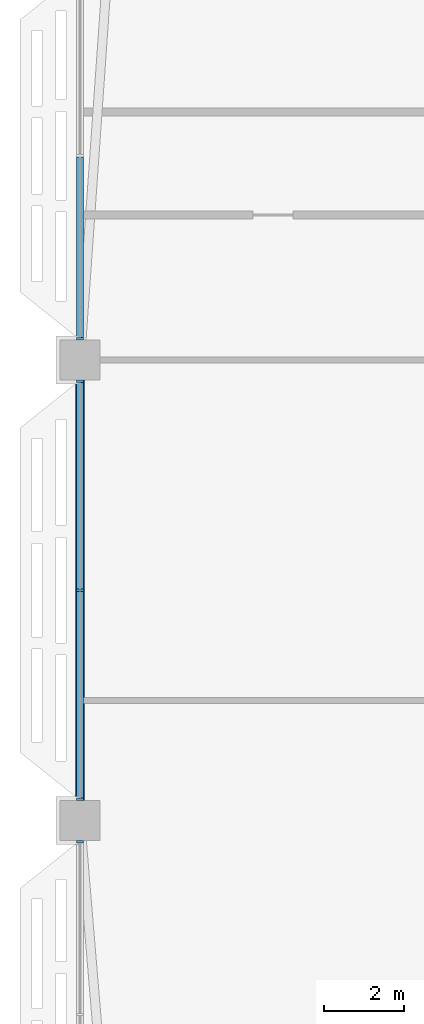
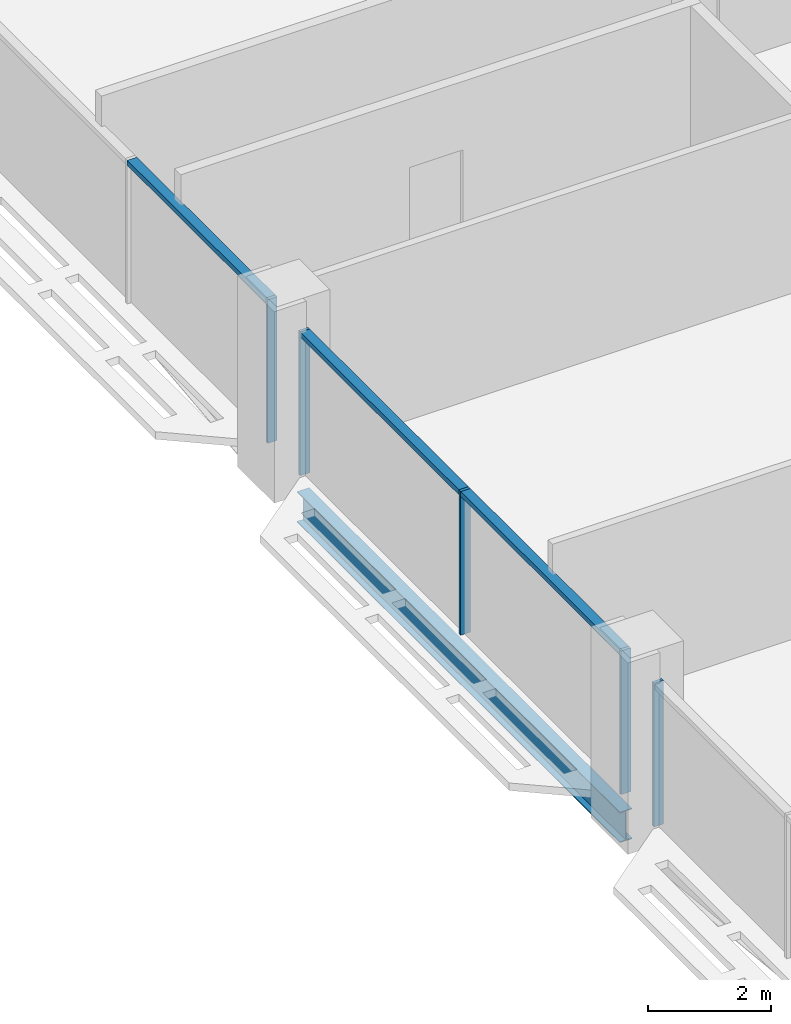
# One storey, part 7 of 34: 8 members, 1 beam, 3 elements without a shape of their own.
"""IFC4 building model written with IfcOpenShell, lengths in metres."""

from ifc_helpers import new_model, si_unit, direction, frame, origin, origin_2d, place, context, subcontext, project, spatial, rectangle, i_section, extrude, material, material_profile, profile_set, type_object, element, aggregate, save


model = new_model("IFC4")

# Units and contexts
model_context = context("Model", 3, precision=1e-05, world=origin(), true_north=direction((0.0, 1.0)))
body_context = subcontext(model_context, "Body", "Model", "MODEL_VIEW")
ifc_project = project(units=[si_unit("LENGTHUNIT", "METRE"), si_unit("AREAUNIT", "SQUARE_METRE"), si_unit("VOLUMEUNIT", "CUBIC_METRE"), si_unit("PLANEANGLEUNIT", "RADIAN"), si_unit("MASSUNIT", "GRAM", prefix="KILO")], contexts=[model_context])

# Site, building, storey
site_placement = place(None, origin())
site = spatial("IfcSite", under=ifc_project, at=site_placement, CompositionType="ELEMENT")
building_placement = place(site_placement, origin())
building = spatial("IfcBuilding", under=site, at=building_placement, Name="Mahtab Terrace Research Tower", CompositionType="ELEMENT")
storey_placement = place(building_placement, frame((0.0, 0.0, 247.60009765625)))
storey = spatial("IfcBuildingStorey", under=building, at=storey_placement, Name="L60", CompositionType="ELEMENT", Elevation=247.60009765625)

# Curtain wall, member
ifc_material_1 = material(Name="Office ribbon curtain wall")
curtain_wall_type = type_object("IfcCurtainWallType", Name="Office ribbon curtain wall", PredefinedType="NOTDEFINED", material=ifc_material_1)
curtain_wall_1_placement = place(storey_placement, origin())
curtain_wall_1 = element("IfcCurtainWall", 1, at=curtain_wall_1_placement, inside=storey, type_object=curtain_wall_type, Name="EN.L60.8.8", PredefinedType="NOTDEFINED")
ifc_material_2 = material(Name="Natural anodised aluminium", Category="aluminium")
ifc_material_profile_1 = material_profile(ifc_material_2, rectangle(XDim=0.179931640625, YDim=0.06005859375, at=origin_2d()), Name="MULLION 60x180")
ifc_profile_set_1 = profile_set([ifc_material_profile_1], Name="Natural anodised aluminium")
member_type_1 = type_object("IfcMemberType", Name="Office ribbon curtain wall mullion", PredefinedType="MULLION", material=ifc_profile_set_1)
member_1_placement = place(storey_placement, frame((-42.0, 12.030029296875, 0.0), z_axis=(0.0, 0.0, 1.0), x_axis=(1.0, 0.0, 0.0)))
member_1 = element("IfcMember", 2, at=member_1_placement, type_object=member_type_1, Name="CWO-7 mullion 3", PredefinedType="MULLION", context=body_context, shape_type="SweptSolid", body=[
    extrude(rectangle(XDim=0.179931640625, YDim=0.06005859375, at=origin_2d()), origin(), (0.0, 0.0, 1.0), 2.852783203125),
])

# Curtain wall, members
curtain_wall_2_placement = place(storey_placement, origin())
curtain_wall_2 = element("IfcCurtainWall", 3, at=curtain_wall_2_placement, inside=storey, type_object=curtain_wall_type, Name="EN.L60.8.9", PredefinedType="NOTDEFINED")
member_2_placement = place(storey_placement, frame((-42.0, 10.969970703125, 0.0), z_axis=(0.0, 0.0, 1.0), x_axis=(1.0, 0.0, 0.0)))
member_2 = element("IfcMember", 4, at=member_2_placement, type_object=member_type_1, Name="CWO-7 mullion 1", PredefinedType="MULLION", context=body_context, shape_type="SweptSolid", body=[
    extrude(rectangle(XDim=0.179931640625, YDim=0.06005859375, at=origin_2d()), origin(), (0.0, 0.0, 1.0), 2.852783203125),
])
member_3_placement = place(storey_placement, frame((-42.0, 5.75, 0.0), z_axis=(0.0, 0.0, 1.0), x_axis=(1.0, 0.0, 0.0)))
member_3 = element("IfcMember", 5, at=member_3_placement, type_object=member_type_1, Name="CWO-7 mullion 2", PredefinedType="MULLION", context=body_context, shape_type="SweptSolid", body=[
    extrude(rectangle(XDim=0.179931640625, YDim=0.06005859375, at=origin_2d()), origin(), (0.0, 0.0, 1.0), 2.852783203125),
])
member_4_placement = place(storey_placement, frame((-42.0, 0.530029296875, 0.0), z_axis=(0.0, 0.0, 1.0), x_axis=(1.0, 0.0, 0.0)))
member_4 = element("IfcMember", 6, at=member_4_placement, type_object=member_type_1, Name="CWO-7 mullion 3", PredefinedType="MULLION", context=body_context, shape_type="SweptSolid", body=[
    extrude(rectangle(XDim=0.179931640625, YDim=0.06005859375, at=origin_2d()), origin(), (0.0, 0.0, 1.0), 2.852783203125),
])

# Curtain wall, member
curtain_wall_3_placement = place(storey_placement, origin())
curtain_wall_3 = element("IfcCurtainWall", 7, at=curtain_wall_3_placement, inside=storey, type_object=curtain_wall_type, Name="EN.L60.8.10", PredefinedType="NOTDEFINED")
member_5_placement = place(storey_placement, frame((-42.0, -0.530029296875, 0.0), z_axis=(0.0, 0.0, 1.0), x_axis=(1.0, 0.0, 0.0)))
member_5 = element("IfcMember", 8, at=member_5_placement, type_object=member_type_1, Name="CWO-7 mullion 1", PredefinedType="MULLION", context=body_context, shape_type="SweptSolid", body=[
    extrude(rectangle(XDim=0.179931640625, YDim=0.06005859375, at=origin_2d()), origin(), (0.0, 0.0, 1.0), 2.852783203125),
])
aggregate(curtain_wall_3, [member_5])

# Member
ifc_material_profile_2 = material_profile(ifc_material_2, rectangle(XDim=0.179931640625, YDim=0.10009765625, at=origin_2d()), Name="TRANSOM 100x180")
ifc_profile_set_2 = profile_set([ifc_material_profile_2], Name="Natural anodised aluminium")
member_type_2 = type_object("IfcMemberType", Name="Office ribbon curtain wall transom", PredefinedType="USERDEFINED", material=ifc_profile_set_2)
member_6_placement = place(storey_placement, frame((-42.0, 16.5673828125, 2.802734375), z_axis=(0.0, -1.0, 0.0), x_axis=(1.0, 0.0, 0.0)))
member_6 = element("IfcMember", 9, at=member_6_placement, type_object=member_type_2, Name="CWO-7 transom 2", ObjectType="TRANSOM", PredefinedType="USERDEFINED", context=body_context, shape_type="SweptSolid", body=[
    extrude(rectangle(XDim=0.179931640625, YDim=0.10009765625, at=origin_2d()), origin(), (0.0, 0.0, 1.0), 4.50732421875),
])

aggregate(curtain_wall_1, [member_1, member_6])

member_7_placement = place(storey_placement, frame((-42.0, 10.93994140625, 2.802734375), z_axis=(0.0, -1.0, 0.0), x_axis=(1.0, 0.0, 0.0)))
member_7 = element("IfcMember", 10, at=member_7_placement, type_object=member_type_2, Name="CWO-7 transom 1", ObjectType="TRANSOM", PredefinedType="USERDEFINED", context=body_context, shape_type="SweptSolid", body=[
    extrude(rectangle(XDim=0.179931640625, YDim=0.10009765625, at=origin_2d()), origin(), (0.0, 0.0, 1.0), 5.159912109375),
])

member_8_placement = place(storey_placement, frame((-42.0, 5.719970703125, 2.802734375), z_axis=(0.0, -1.0, 0.0), x_axis=(1.0, 0.0, 0.0)))
member_8 = element("IfcMember", 11, at=member_8_placement, type_object=member_type_2, Name="CWO-7 transom 2", ObjectType="TRANSOM", PredefinedType="USERDEFINED", context=body_context, shape_type="SweptSolid", body=[
    extrude(rectangle(XDim=0.179931640625, YDim=0.10009765625, at=origin_2d()), origin(), (0.0, 0.0, 1.0), 5.159912109375),
])

aggregate(curtain_wall_2, [member_2, member_3, member_4, member_7, member_8])

# Beam
ifc_material_3 = material(Name="Steel ASTM A992 Gr 50", Category="steel")
ifc_material_profile_3 = material_profile(ifc_material_3, i_section(OverallWidth=0.228271484375, OverallDepth=0.607177734375, WebThickness=0.01123046875, FlangeThickness=0.017333984375, at=origin_2d()), Name="W24X76")
ifc_profile_set_3 = profile_set([ifc_material_profile_3], Name="Steel ASTM A992 Gr 50")
beam_type = type_object("IfcBeamType", Name="W24x76 beam BS2476", PredefinedType="BEAM", material=ifc_profile_set_3)
beam_placement = place(storey_placement, frame((-42.0, 11.0, -0.6435546875), z_axis=(0.0, -1.0, 0.0), x_axis=(1.0, 0.0, 0.0)))
element("IfcBeam", 12, at=beam_placement, inside=storey, type_object=beam_type, Name="Spandrel beam L60 10", PredefinedType="BEAM", context=body_context, shape_type="SweptSolid", body=[
    extrude(i_section(OverallWidth=0.228271484375, OverallDepth=0.607177734375, WebThickness=0.01123046875, FlangeThickness=0.017333984375, at=origin_2d()), origin(), (0.0, 0.0, 1.0), 10.5),
])

save(model, "model.ifc")
